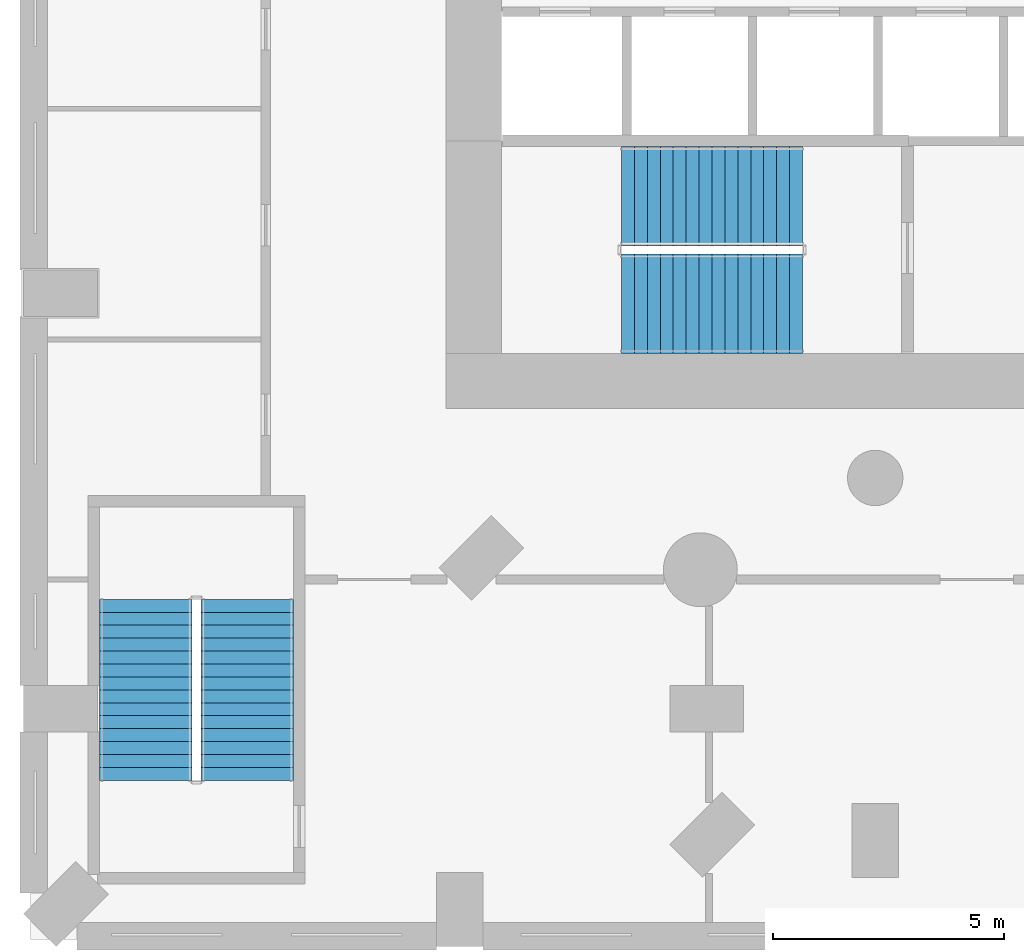
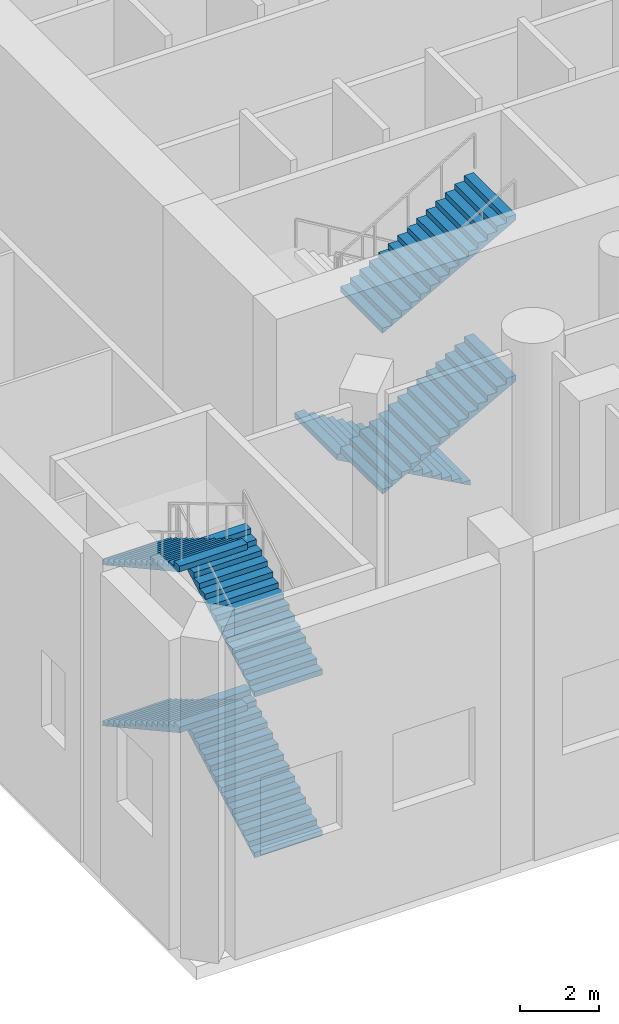
# One storey, part 9 of 16: 7 stair flights, 2 elements without a shape of their own.
"""IFC4 building model written with IfcOpenShell, lengths in metres."""

import ifcopenshell
import ifcopenshell.guid

model = None  # the IFC model being written
_history = None  # IfcOwnerHistory: only IFC2X3 demands one
_inside = {}  # id of a spatial element -> (the spatial element, [elements in it])
_under = {}  # id of a project, library or spatial element -> (it, [spatial elements below it])
_declared = {}  # id of a project -> (the project, [libraries it declares])
_typed = {}  # id of a type object -> (the type object, [elements of that type])
_made_of = {}  # id of a material, layer set ... -> (it, [elements and type objects made of it])


def new_model(schema):
    """Start an empty IFC model of exactly this schema.

    Asked for "IFC4X3", IfcOpenShell would pick the latest addendum, in which some entities
    have other attributes; the version numbers below select the first issue.
    IFC2X3 requires an IfcOwnerHistory on every rooted entity: one is made here for all.
    """
    global model, _history
    if schema == "IFC4X3":
        model = ifcopenshell.file(schema_version=(4, 3, 0, 0))
    else:
        model = ifcopenshell.file(schema=schema)
    _inside.clear()
    _under.clear()
    _declared.clear()
    _typed.clear()
    _made_of.clear()
    _history = None
    if model.schema == "IFC2X3":
        org = make("IfcOrganization", Name="unknown")
        user = make(
            "IfcPersonAndOrganization",
            ThePerson=make("IfcPerson", FamilyName="unknown"),
            TheOrganization=org,
        )
        app = make(
            "IfcApplication",
            ApplicationDeveloper=org,
            Version="unknown",
            ApplicationFullName="unknown",
            ApplicationIdentifier="unknown",
        )
        _history = make(
            "IfcOwnerHistory",
            OwningUser=user,
            OwningApplication=app,
            ChangeAction="ADDED",
            CreationDate=0,
        )
    return model


def make(cls, **values):
    """One entity of the class cls with the attributes given. An attribute that is None is left unset."""
    return model.create_entity(
        cls, **{name: value for name, value in values.items() if value is not None}
    )


def rooted(cls, **values):
    """An entity with a GlobalId (a new one), such as an element, a storey or a relation."""
    return make(cls, GlobalId=ifcopenshell.guid.new(), OwnerHistory=_history, **values)


def si_unit(unit_type, name, prefix=None):
    """IfcSIUnit, for example si_unit("LENGTHUNIT", "METRE", prefix="MILLI")."""
    return make("IfcSIUnit", UnitType=unit_type, Prefix=prefix, Name=name)


def assignment(units):
    """IfcUnitAssignment: the units of a project."""
    return None if units is None else make("IfcUnitAssignment", Units=units)


def point(xyz):
    """IfcCartesianPoint."""
    return None if xyz is None else make("IfcCartesianPoint", Coordinates=xyz)


def direction(xyz):
    """IfcDirection."""
    return None if xyz is None else make("IfcDirection", DirectionRatios=xyz)


def frame(location, z_axis=None, x_axis=None):
    """IfcAxis2Placement3D, a coordinate frame: its origin and axes. An axis left out is left unset."""
    return make(
        "IfcAxis2Placement3D",
        Location=point(location),
        Axis=direction(z_axis),
        RefDirection=direction(x_axis),
    )


def origin():
    """The frame at (0, 0, 0) with its axes left unset."""
    return frame((0.0, 0.0, 0.0))


def place(relative_to, where):
    """IfcLocalPlacement: puts the frame where relative to a parent placement (None: the world)."""
    return make(
        "IfcLocalPlacement", PlacementRelTo=relative_to, RelativePlacement=where
    )


def context(
    kind, dimensions, precision=None, world=None, true_north=None, identifier=None
):
    """IfcGeometricRepresentationContext, for example the 3D "Model" context."""
    return make(
        "IfcGeometricRepresentationContext",
        ContextIdentifier=identifier,
        ContextType=kind,
        CoordinateSpaceDimension=dimensions,
        Precision=precision,
        WorldCoordinateSystem=world,
        TrueNorth=true_north,
    )


def subcontext(parent, identifier, kind, view, scale=None):
    """IfcGeometricRepresentationSubContext, for example "Body" below "Model"."""
    return make(
        "IfcGeometricRepresentationSubContext",
        ContextIdentifier=identifier,
        ContextType=kind,
        ParentContext=parent,
        TargetScale=scale,
        TargetView=view,
    )


def project(units=None, contexts=None):
    """IfcProject with its units and contexts."""
    return rooted(
        "IfcProject",
        Name="project",
        RepresentationContexts=contexts,
        UnitsInContext=assignment(units),
    )


def spatial(cls, under=None, at=None, **own):
    """A site, building, storey or space (cls), placed at a placement, below another one or the project."""
    s = rooted(cls, ObjectPlacement=at, **own)
    if under is not None:
        _under.setdefault(under.id(), (under, []))[1].append(s)
    return s


def point_list(points):
    """IfcCartesianPointList2D or 3D."""
    cls = (
        "IfcCartesianPointList2D" if len(points[0]) == 2 else "IfcCartesianPointList3D"
    )
    return make(cls, CoordList=points)


def triangles(points, corners, closed=None, point_numbers=None):
    """IfcTriangulatedFaceSet: each triangle names its three corners, points numbered from 1."""
    return make(
        "IfcTriangulatedFaceSet",
        Coordinates=point_list(points),
        Closed=closed,
        CoordIndex=corners,
        PnIndex=point_numbers,
    )


def shape(context_of_items, identifier, shape_type, items):
    """IfcShapeRepresentation: the items that make up one representation, for example the "Body"."""
    return make(
        "IfcShapeRepresentation",
        ContextOfItems=context_of_items,
        RepresentationIdentifier=identifier,
        RepresentationType=shape_type,
        Items=items,
    )


def material(Name=None, Category=None):
    """IfcMaterial."""
    return make("IfcMaterial", Name=Name, Category=Category)


def made_of(thing, what):
    """Note that an element or type object is made of a material, layer set ...; save() writes the relation."""
    if what is not None:
        _made_of.setdefault(what.id(), (what, []))[1].append(thing)
    return thing


def type_object(cls, material=None, **own):
    """A type object (cls), such as IfcWallType, which elements share."""
    return made_of(rooted(cls, **own), material)


def element(
    cls,
    number,
    at=None,
    inside=None,
    cuts=None,
    type_object=None,
    material=None,
    context=None,
    identifier="Body",
    shape_type=None,
    held_by="IfcProductDefinitionShape",
    body=None,
    shapes=None,
    **own,
):
    """One element of the class cls, such as IfcWall. Its Tag is "e" and its number.

    at: its placement. inside: the storey or other place that contains it. cuts: it is an
    opening in that element (IfcRelVoidsElement). A single representation is given by context,
    identifier, shape_type and body (its items); several are given by shapes. held_by: the class
    of the entity that holds the representations. save() writes the other relations.
    """
    e = rooted(cls, Tag="e%d" % number, ObjectPlacement=at, **own)
    if body is not None:
        shapes = [shape(context, identifier, shape_type, body)]
    if shapes is not None:
        e.Representation = make(held_by, Representations=shapes)
    if inside is not None:
        _inside.setdefault(inside.id(), (inside, []))[1].append(e)
    if cuts is not None:
        rooted(
            "IfcRelVoidsElement", RelatingBuildingElement=cuts, RelatedOpeningElement=e
        )
    if type_object is not None:
        _typed.setdefault(type_object.id(), (type_object, []))[1].append(e)
    return made_of(e, material)


def aggregate(whole, parts):
    """IfcRelAggregates: a whole, such as a stair, and the parts it consists of."""
    return rooted("IfcRelAggregates", RelatingObject=whole, RelatedObjects=parts)


def save(model, path):
    """Write the relations noted so far, then the file.

    IfcRelAggregates (storeys below a building ...), IfcRelContainedInSpatialStructure (elements
    in a storey), IfcRelDefinesByType, IfcRelAssociatesMaterial and IfcRelDeclares: one each for
    every whole, place, type object, material and project.
    """
    for whole, parts in _under.values():
        aggregate(whole, parts)
    for where, things in _inside.values():
        rooted(
            "IfcRelContainedInSpatialStructure",
            RelatedElements=things,
            RelatingStructure=where,
        )
    for kind, things in _typed.values():
        rooted("IfcRelDefinesByType", RelatedObjects=things, RelatingType=kind)
    for what, things in _made_of.values():
        rooted("IfcRelAssociatesMaterial", RelatedObjects=things, RelatingMaterial=what)
    for by, libraries in _declared.values():
        rooted("IfcRelDeclares", RelatingContext=by, RelatedDefinitions=libraries)
    model.write(path)


model = new_model("IFC4")

# Units and contexts
model_context = context("Model", 3, precision=1e-05, world=origin(), true_north=direction((0.0, 1.0)))
body_context = subcontext(model_context, "Body", "Model", "MODEL_VIEW")
ifc_project = project(units=[si_unit("LENGTHUNIT", "METRE"), si_unit("AREAUNIT", "SQUARE_METRE"), si_unit("VOLUMEUNIT", "CUBIC_METRE"), si_unit("PLANEANGLEUNIT", "RADIAN"), si_unit("MASSUNIT", "GRAM", prefix="KILO")], contexts=[model_context])

# Site, building, storey
site_placement = place(None, origin())
site = spatial("IfcSite", under=ifc_project, at=site_placement, CompositionType="ELEMENT")
building_placement = place(site_placement, origin())
building = spatial("IfcBuilding", under=site, at=building_placement, Name="Cypress Arch Tower", CompositionType="ELEMENT")
storey_placement = place(building_placement, frame((0.0, 0.0, 9.0)))
storey = spatial("IfcBuildingStorey", under=building, at=storey_placement, Name="L01", CompositionType="ELEMENT", Elevation=9.0)

# Stair, stair flights
ifc_material_1 = material(Name="Concrete C40/50", Category="concrete")
stair_type_1 = type_object("IfcStairType", Name="Exit stair ES1667-200", PredefinedType="HALF_TURN_STAIR", material=ifc_material_1)
stair_1_placement = place(storey_placement, origin())
stair_1 = element("IfcStair", 1, at=stair_1_placement, inside=storey, type_object=stair_type_1, Name="L01 Exit stair P1", PredefinedType="HALF_TURN_STAIR")
ifc_material_2 = material(Name="Concrete C40/50", Category="concrete")
stair_flight_type_1 = type_object("IfcStairFlightType", Name="Exit stair flight ES1667-200", PredefinedType="STRAIGHT", material=ifc_material_2)
stair_flight_1_placement = place(storey_placement, frame((-34.300048828125, -24.050048828125, 0.0), z_axis=(0.0, 0.0, 1.0), x_axis=(0.0, 1.0, 0.0)))
stair_flight_1 = element("IfcStairFlight", 2, at=stair_flight_1_placement, type_object=stair_flight_type_1, Name="P1 flight 1", NumberOfRisers=15, NumberOfTreads=14, PredefinedType="STRAIGHT", RiserHeight=0.166666667, TreadLength=0.28, context=body_context, shape_type="Tessellation", body=[
    triangles([(0.0, -1.0, 0.0), (0.0, -1.0, 0.166748046875), (0.280029296875, -1.0, 0.166748046875), (0.280029296875, -1.0, 0.333251953125), (0.56005859375, -1.0, 0.333251953125), (0.56005859375, -1.0, 0.5), (0.840087890625, -1.0, 0.5), (0.840087890625, -1.0, 0.666748046875), (1.1201171875, -1.0, 0.666748046875), (1.1201171875, -1.0, 0.833251953125), (1.39990234375, -1.0, 0.833251953125), (1.39990234375, -1.0, 1.0), (1.679931640625, -1.0, 1.0), (1.679931640625, -1.0, 1.166748046875), (1.9599609375, -1.0, 1.166748046875), (1.9599609375, -1.0, 1.333251953125), (2.239990234375, -1.0, 1.333251953125), (2.239990234375, -1.0, 1.5), (2.52001953125, -1.0, 1.5), (2.52001953125, -1.0, 1.666748046875), (2.800048828125, -1.0, 1.666748046875), (2.800048828125, -1.0, 1.833251953125), (3.080078125, -1.0, 1.833251953125), (3.080078125, -1.0, 2.0), (3.360107421875, -1.0, 2.0), (3.360107421875, -1.0, 2.166748046875), (3.639892578125, -1.0, 2.166748046875), (3.639892578125, -1.0, 2.333251953125), (3.919921875, -1.0, 2.333251953125), (3.919921875, -1.0, 2.158935546875), (3.919921875, 1.0, 2.158935546875), (3.919921875, 1.0, 2.333251953125), (3.639892578125, 1.0, 2.333251953125), (3.639892578125, 1.0, 2.166748046875), (3.360107421875, 1.0, 2.166748046875), (3.360107421875, 1.0, 2.0), (3.080078125, 1.0, 2.0), (3.080078125, 1.0, 1.833251953125), (2.800048828125, 1.0, 1.833251953125), (2.800048828125, 1.0, 1.666748046875), (2.52001953125, 1.0, 1.666748046875), (2.52001953125, 1.0, 1.5), (2.239990234375, 1.0, 1.5), (2.239990234375, 1.0, 1.333251953125), (1.9599609375, 1.0, 1.333251953125), (1.9599609375, 1.0, 1.166748046875), (1.679931640625, 1.0, 1.166748046875), (1.679931640625, 1.0, 1.0), (1.39990234375, 1.0, 1.0), (1.39990234375, 1.0, 0.833251953125), (1.1201171875, 1.0, 0.833251953125), (1.1201171875, 1.0, 0.666748046875), (0.840087890625, 1.0, 0.666748046875), (0.840087890625, 1.0, 0.5), (0.56005859375, 1.0, 0.5), (0.56005859375, 1.0, 0.333251953125), (0.280029296875, 1.0, 0.333251953125), (0.280029296875, 1.0, 0.166748046875), (0.0, 1.0, 0.166748046875), (0.0, 1.0, 0.0)], [[30, 29, 28], [27, 26, 25], [25, 24, 23], [21, 20, 19], [19, 18, 17], [15, 14, 13], [13, 12, 11], [9, 8, 7], [7, 6, 5], [3, 2, 1], [11, 10, 9], [23, 22, 21], [17, 16, 15], [5, 4, 3], [30, 28, 27], [30, 27, 25], [30, 25, 23], [30, 23, 21], [30, 21, 19], [30, 19, 17], [30, 17, 15], [30, 15, 13], [30, 13, 11], [30, 11, 9], [30, 9, 7], [30, 7, 5], [1, 30, 5], [5, 3, 1], [31, 33, 32], [34, 36, 35], [36, 38, 37], [40, 42, 41], [42, 44, 43], [46, 48, 47], [48, 50, 49], [52, 54, 53], [54, 56, 55], [58, 60, 59], [50, 52, 51], [38, 40, 39], [44, 46, 45], [56, 58, 57], [31, 34, 33], [31, 36, 34], [31, 38, 36], [31, 40, 38], [31, 42, 40], [31, 44, 42], [31, 46, 44], [31, 48, 46], [31, 50, 48], [31, 52, 50], [31, 54, 52], [31, 56, 54], [60, 56, 31], [56, 60, 58], [31, 32, 29], [31, 29, 30], [32, 33, 28], [32, 28, 29], [33, 34, 27], [33, 27, 28], [34, 35, 26], [34, 26, 27], [35, 36, 25], [35, 25, 26], [36, 37, 24], [36, 24, 25], [37, 38, 23], [37, 23, 24], [38, 39, 22], [38, 22, 23], [39, 40, 21], [39, 21, 22], [40, 41, 20], [40, 20, 21], [41, 42, 19], [41, 19, 20], [42, 43, 18], [42, 18, 19], [43, 44, 17], [43, 17, 18], [44, 45, 16], [44, 16, 17], [45, 46, 15], [45, 15, 16], [46, 47, 14], [46, 14, 15], [47, 48, 13], [47, 13, 14], [48, 49, 12], [48, 12, 13], [49, 50, 11], [49, 11, 12], [50, 51, 10], [50, 10, 11], [51, 52, 9], [51, 9, 10], [52, 53, 8], [52, 8, 9], [53, 54, 7], [53, 7, 8], [54, 55, 6], [54, 6, 7], [55, 56, 5], [55, 5, 6], [56, 57, 4], [56, 4, 5], [57, 58, 3], [57, 3, 4], [58, 59, 2], [58, 2, 3], [59, 60, 1], [59, 1, 2], [60, 31, 30], [60, 30, 1]], closed=True),
])
stair_flight_2_placement = place(storey_placement, frame((-36.5, -20.1298828125, 2.5), z_axis=(0.0, 0.0, 1.0), x_axis=(0.0, -1.0, 0.0)))
stair_flight_2 = element("IfcStairFlight", 3, at=stair_flight_2_placement, type_object=stair_flight_type_1, Name="P1 flight 2", NumberOfRisers=15, NumberOfTreads=14, PredefinedType="STRAIGHT", RiserHeight=0.166666667, TreadLength=0.28, context=body_context, shape_type="Tessellation", body=[
    triangles([(0.0, -1.0, 0.0), (0.0, -1.0, 0.166748046875), (0.280029296875, -1.0, 0.166748046875), (0.280029296875, -1.0, 0.333251953125), (0.56005859375, -1.0, 0.333251953125), (0.56005859375, -1.0, 0.5), (0.840087890625, -1.0, 0.5), (0.840087890625, -1.0, 0.666748046875), (1.1201171875, -1.0, 0.666748046875), (1.1201171875, -1.0, 0.833251953125), (1.39990234375, -1.0, 0.833251953125), (1.39990234375, -1.0, 1.0), (1.679931640625, -1.0, 1.0), (1.679931640625, -1.0, 1.166748046875), (1.9599609375, -1.0, 1.166748046875), (1.9599609375, -1.0, 1.333251953125), (2.239990234375, -1.0, 1.333251953125), (2.239990234375, -1.0, 1.5), (2.52001953125, -1.0, 1.5), (2.52001953125, -1.0, 1.666748046875), (2.800048828125, -1.0, 1.666748046875), (2.800048828125, -1.0, 1.833251953125), (3.080078125, -1.0, 1.833251953125), (3.080078125, -1.0, 2.0), (3.360107421875, -1.0, 2.0), (3.360107421875, -1.0, 2.166748046875), (3.639892578125, -1.0, 2.166748046875), (3.639892578125, -1.0, 2.333251953125), (3.919921875, -1.0, 2.333251953125), (3.919921875, -1.0, 2.158935546875), (3.919921875, 1.0, 2.158935546875), (3.919921875, 1.0, 2.333251953125), (3.639892578125, 1.0, 2.333251953125), (3.639892578125, 1.0, 2.166748046875), (3.360107421875, 1.0, 2.166748046875), (3.360107421875, 1.0, 2.0), (3.080078125, 1.0, 2.0), (3.080078125, 1.0, 1.833251953125), (2.800048828125, 1.0, 1.833251953125), (2.800048828125, 1.0, 1.666748046875), (2.52001953125, 1.0, 1.666748046875), (2.52001953125, 1.0, 1.5), (2.239990234375, 1.0, 1.5), (2.239990234375, 1.0, 1.333251953125), (1.9599609375, 1.0, 1.333251953125), (1.9599609375, 1.0, 1.166748046875), (1.679931640625, 1.0, 1.166748046875), (1.679931640625, 1.0, 1.0), (1.39990234375, 1.0, 1.0), (1.39990234375, 1.0, 0.833251953125), (1.1201171875, 1.0, 0.833251953125), (1.1201171875, 1.0, 0.666748046875), (0.840087890625, 1.0, 0.666748046875), (0.840087890625, 1.0, 0.5), (0.56005859375, 1.0, 0.5), (0.56005859375, 1.0, 0.333251953125), (0.280029296875, 1.0, 0.333251953125), (0.280029296875, 1.0, 0.166748046875), (0.0, 1.0, 0.166748046875), (0.0, 1.0, 0.0)], [[30, 29, 28], [27, 26, 25], [25, 24, 23], [21, 20, 19], [19, 18, 17], [15, 14, 13], [13, 12, 11], [9, 8, 7], [7, 6, 5], [3, 2, 1], [11, 10, 9], [23, 22, 21], [17, 16, 15], [5, 4, 3], [30, 28, 27], [30, 27, 25], [30, 25, 23], [30, 23, 21], [30, 21, 19], [30, 19, 17], [30, 17, 15], [30, 15, 13], [30, 13, 11], [30, 11, 9], [30, 9, 7], [30, 7, 5], [1, 30, 5], [5, 3, 1], [31, 33, 32], [34, 36, 35], [36, 38, 37], [40, 42, 41], [42, 44, 43], [46, 48, 47], [48, 50, 49], [52, 54, 53], [54, 56, 55], [58, 60, 59], [50, 52, 51], [38, 40, 39], [44, 46, 45], [56, 58, 57], [31, 34, 33], [31, 36, 34], [31, 38, 36], [31, 40, 38], [31, 42, 40], [31, 44, 42], [31, 46, 44], [31, 48, 46], [31, 50, 48], [31, 52, 50], [31, 54, 52], [31, 56, 54], [60, 56, 31], [56, 60, 58], [31, 32, 29], [31, 29, 30], [32, 33, 28], [32, 28, 29], [33, 34, 27], [33, 27, 28], [34, 35, 26], [34, 26, 27], [35, 36, 25], [35, 25, 26], [36, 37, 24], [36, 24, 25], [37, 38, 23], [37, 23, 24], [38, 39, 22], [38, 22, 23], [39, 40, 21], [39, 21, 22], [40, 41, 20], [40, 20, 21], [41, 42, 19], [41, 19, 20], [42, 43, 18], [42, 18, 19], [43, 44, 17], [43, 17, 18], [44, 45, 16], [44, 16, 17], [45, 46, 15], [45, 15, 16], [46, 47, 14], [46, 14, 15], [47, 48, 13], [47, 13, 14], [48, 49, 12], [48, 12, 13], [49, 50, 11], [49, 11, 12], [50, 51, 10], [50, 10, 11], [51, 52, 9], [51, 9, 10], [52, 53, 8], [52, 8, 9], [53, 54, 7], [53, 7, 8], [54, 55, 6], [54, 6, 7], [55, 56, 5], [55, 5, 6], [56, 57, 4], [56, 4, 5], [57, 58, 3], [57, 3, 4], [58, 59, 2], [58, 2, 3], [59, 60, 1], [59, 1, 2], [60, 31, 30], [60, 30, 1]], closed=True),
])
stair_flight_3_placement = place(storey_placement, frame((-34.300048828125, -24.050048828125, 5.0), z_axis=(0.0, 0.0, 1.0), x_axis=(0.0, 1.0, 0.0)))
stair_flight_3 = element("IfcStairFlight", 4, at=stair_flight_3_placement, type_object=stair_flight_type_1, Name="P1 flight 3", NumberOfRisers=15, NumberOfTreads=14, PredefinedType="STRAIGHT", RiserHeight=0.166666667, TreadLength=0.28, context=body_context, shape_type="Tessellation", body=[
    triangles([(0.0, -1.0, 0.0), (0.0, -1.0, 0.166748046875), (0.280029296875, -1.0, 0.166748046875), (0.280029296875, -1.0, 0.333251953125), (0.56005859375, -1.0, 0.333251953125), (0.56005859375, -1.0, 0.5), (0.840087890625, -1.0, 0.5), (0.840087890625, -1.0, 0.666748046875), (1.1201171875, -1.0, 0.666748046875), (1.1201171875, -1.0, 0.833251953125), (1.39990234375, -1.0, 0.833251953125), (1.39990234375, -1.0, 1.0), (1.679931640625, -1.0, 1.0), (1.679931640625, -1.0, 1.166748046875), (1.9599609375, -1.0, 1.166748046875), (1.9599609375, -1.0, 1.333251953125), (2.239990234375, -1.0, 1.333251953125), (2.239990234375, -1.0, 1.5), (2.52001953125, -1.0, 1.5), (2.52001953125, -1.0, 1.666748046875), (2.800048828125, -1.0, 1.666748046875), (2.800048828125, -1.0, 1.833251953125), (3.080078125, -1.0, 1.833251953125), (3.080078125, -1.0, 2.0), (3.360107421875, -1.0, 2.0), (3.360107421875, -1.0, 2.166748046875), (3.639892578125, -1.0, 2.166748046875), (3.639892578125, -1.0, 2.333251953125), (3.919921875, -1.0, 2.333251953125), (3.919921875, -1.0, 2.158935546875), (3.919921875, 1.0, 2.158935546875), (3.919921875, 1.0, 2.333251953125), (3.639892578125, 1.0, 2.333251953125), (3.639892578125, 1.0, 2.166748046875), (3.360107421875, 1.0, 2.166748046875), (3.360107421875, 1.0, 2.0), (3.080078125, 1.0, 2.0), (3.080078125, 1.0, 1.833251953125), (2.800048828125, 1.0, 1.833251953125), (2.800048828125, 1.0, 1.666748046875), (2.52001953125, 1.0, 1.666748046875), (2.52001953125, 1.0, 1.5), (2.239990234375, 1.0, 1.5), (2.239990234375, 1.0, 1.333251953125), (1.9599609375, 1.0, 1.333251953125), (1.9599609375, 1.0, 1.166748046875), (1.679931640625, 1.0, 1.166748046875), (1.679931640625, 1.0, 1.0), (1.39990234375, 1.0, 1.0), (1.39990234375, 1.0, 0.833251953125), (1.1201171875, 1.0, 0.833251953125), (1.1201171875, 1.0, 0.666748046875), (0.840087890625, 1.0, 0.666748046875), (0.840087890625, 1.0, 0.5), (0.56005859375, 1.0, 0.5), (0.56005859375, 1.0, 0.333251953125), (0.280029296875, 1.0, 0.333251953125), (0.280029296875, 1.0, 0.166748046875), (0.0, 1.0, 0.166748046875), (0.0, 1.0, 0.0)], [[30, 29, 28], [27, 26, 25], [25, 24, 23], [21, 20, 19], [19, 18, 17], [15, 14, 13], [13, 12, 11], [9, 8, 7], [7, 6, 5], [3, 2, 1], [11, 10, 9], [23, 22, 21], [17, 16, 15], [5, 4, 3], [30, 28, 27], [30, 27, 25], [30, 25, 23], [30, 23, 21], [30, 21, 19], [30, 19, 17], [30, 17, 15], [30, 15, 13], [30, 13, 11], [30, 11, 9], [30, 9, 7], [30, 7, 5], [1, 30, 5], [5, 3, 1], [31, 33, 32], [34, 36, 35], [36, 38, 37], [40, 42, 41], [42, 44, 43], [46, 48, 47], [48, 50, 49], [52, 54, 53], [54, 56, 55], [58, 60, 59], [50, 52, 51], [38, 40, 39], [44, 46, 45], [56, 58, 57], [31, 34, 33], [31, 36, 34], [31, 38, 36], [31, 40, 38], [31, 42, 40], [31, 44, 42], [31, 46, 44], [31, 48, 46], [31, 50, 48], [31, 52, 50], [31, 54, 52], [31, 56, 54], [60, 56, 31], [56, 60, 58], [31, 32, 29], [31, 29, 30], [32, 33, 28], [32, 28, 29], [33, 34, 27], [33, 27, 28], [34, 35, 26], [34, 26, 27], [35, 36, 25], [35, 25, 26], [36, 37, 24], [36, 24, 25], [37, 38, 23], [37, 23, 24], [38, 39, 22], [38, 22, 23], [39, 40, 21], [39, 21, 22], [40, 41, 20], [40, 20, 21], [41, 42, 19], [41, 19, 20], [42, 43, 18], [42, 18, 19], [43, 44, 17], [43, 17, 18], [44, 45, 16], [44, 16, 17], [45, 46, 15], [45, 15, 16], [46, 47, 14], [46, 14, 15], [47, 48, 13], [47, 13, 14], [48, 49, 12], [48, 12, 13], [49, 50, 11], [49, 11, 12], [50, 51, 10], [50, 10, 11], [51, 52, 9], [51, 9, 10], [52, 53, 8], [52, 8, 9], [53, 54, 7], [53, 7, 8], [54, 55, 6], [54, 6, 7], [55, 56, 5], [55, 5, 6], [56, 57, 4], [56, 4, 5], [57, 58, 3], [57, 3, 4], [58, 59, 2], [58, 2, 3], [59, 60, 1], [59, 1, 2], [60, 31, 30], [60, 30, 1]], closed=True),
])
stair_flight_4_placement = place(storey_placement, frame((-36.5, -20.1298828125, 7.5), z_axis=(0.0, 0.0, 1.0), x_axis=(0.0, -1.0, 0.0)))
stair_flight_4 = element("IfcStairFlight", 5, at=stair_flight_4_placement, type_object=stair_flight_type_1, Name="P1 flight 4", NumberOfRisers=15, NumberOfTreads=14, PredefinedType="STRAIGHT", RiserHeight=0.166666667, TreadLength=0.28, context=body_context, shape_type="Tessellation", body=[
    triangles([(0.0, -1.0, 0.0), (0.0, -1.0, 0.166748046875), (0.280029296875, -1.0, 0.166748046875), (0.280029296875, -1.0, 0.333251953125), (0.56005859375, -1.0, 0.333251953125), (0.56005859375, -1.0, 0.5), (0.840087890625, -1.0, 0.5), (0.840087890625, -1.0, 0.666748046875), (1.1201171875, -1.0, 0.666748046875), (1.1201171875, -1.0, 0.833251953125), (1.39990234375, -1.0, 0.833251953125), (1.39990234375, -1.0, 1.0), (1.679931640625, -1.0, 1.0), (1.679931640625, -1.0, 1.166748046875), (1.9599609375, -1.0, 1.166748046875), (1.9599609375, -1.0, 1.333251953125), (2.239990234375, -1.0, 1.333251953125), (2.239990234375, -1.0, 1.5), (2.52001953125, -1.0, 1.5), (2.52001953125, -1.0, 1.666748046875), (2.800048828125, -1.0, 1.666748046875), (2.800048828125, -1.0, 1.833251953125), (3.080078125, -1.0, 1.833251953125), (3.080078125, -1.0, 2.0), (3.360107421875, -1.0, 2.0), (3.360107421875, -1.0, 2.166748046875), (3.639892578125, -1.0, 2.166748046875), (3.639892578125, -1.0, 2.333251953125), (3.919921875, -1.0, 2.333251953125), (3.919921875, -1.0, 2.158935546875), (3.919921875, 1.0, 2.158935546875), (3.919921875, 1.0, 2.333251953125), (3.639892578125, 1.0, 2.333251953125), (3.639892578125, 1.0, 2.166748046875), (3.360107421875, 1.0, 2.166748046875), (3.360107421875, 1.0, 2.0), (3.080078125, 1.0, 2.0), (3.080078125, 1.0, 1.833251953125), (2.800048828125, 1.0, 1.833251953125), (2.800048828125, 1.0, 1.666748046875), (2.52001953125, 1.0, 1.666748046875), (2.52001953125, 1.0, 1.5), (2.239990234375, 1.0, 1.5), (2.239990234375, 1.0, 1.333251953125), (1.9599609375, 1.0, 1.333251953125), (1.9599609375, 1.0, 1.166748046875), (1.679931640625, 1.0, 1.166748046875), (1.679931640625, 1.0, 1.0), (1.39990234375, 1.0, 1.0), (1.39990234375, 1.0, 0.833251953125), (1.1201171875, 1.0, 0.833251953125), (1.1201171875, 1.0, 0.666748046875), (0.840087890625, 1.0, 0.666748046875), (0.840087890625, 1.0, 0.5), (0.56005859375, 1.0, 0.5), (0.56005859375, 1.0, 0.333251953125), (0.280029296875, 1.0, 0.333251953125), (0.280029296875, 1.0, 0.166748046875), (0.0, 1.0, 0.166748046875), (0.0, 1.0, 0.0)], [[30, 29, 28], [27, 26, 25], [25, 24, 23], [21, 20, 19], [19, 18, 17], [15, 14, 13], [13, 12, 11], [9, 8, 7], [7, 6, 5], [3, 2, 1], [11, 10, 9], [23, 22, 21], [17, 16, 15], [5, 4, 3], [30, 28, 27], [30, 27, 25], [30, 25, 23], [30, 23, 21], [30, 21, 19], [30, 19, 17], [30, 17, 15], [30, 15, 13], [30, 13, 11], [30, 11, 9], [30, 9, 7], [30, 7, 5], [1, 30, 5], [5, 3, 1], [31, 33, 32], [34, 36, 35], [36, 38, 37], [40, 42, 41], [42, 44, 43], [46, 48, 47], [48, 50, 49], [52, 54, 53], [54, 56, 55], [58, 60, 59], [50, 52, 51], [38, 40, 39], [44, 46, 45], [56, 58, 57], [31, 34, 33], [31, 36, 34], [31, 38, 36], [31, 40, 38], [31, 42, 40], [31, 44, 42], [31, 46, 44], [31, 48, 46], [31, 50, 48], [31, 52, 50], [31, 54, 52], [31, 56, 54], [60, 56, 31], [56, 60, 58], [31, 32, 29], [31, 29, 30], [32, 33, 28], [32, 28, 29], [33, 34, 27], [33, 27, 28], [34, 35, 26], [34, 26, 27], [35, 36, 25], [35, 25, 26], [36, 37, 24], [36, 24, 25], [37, 38, 23], [37, 23, 24], [38, 39, 22], [38, 22, 23], [39, 40, 21], [39, 21, 22], [40, 41, 20], [40, 20, 21], [41, 42, 19], [41, 19, 20], [42, 43, 18], [42, 18, 19], [43, 44, 17], [43, 17, 18], [44, 45, 16], [44, 16, 17], [45, 46, 15], [45, 15, 16], [46, 47, 14], [46, 14, 15], [47, 48, 13], [47, 13, 14], [48, 49, 12], [48, 12, 13], [49, 50, 11], [49, 11, 12], [50, 51, 10], [50, 10, 11], [51, 52, 9], [51, 9, 10], [52, 53, 8], [52, 8, 9], [53, 54, 7], [53, 7, 8], [54, 55, 6], [54, 6, 7], [55, 56, 5], [55, 5, 6], [56, 57, 4], [56, 4, 5], [57, 58, 3], [57, 3, 4], [58, 59, 2], [58, 2, 3], [59, 60, 1], [59, 1, 2], [60, 31, 30], [60, 30, 1]], closed=True),
])
aggregate(stair_1, [stair_flight_1, stair_flight_2, stair_flight_3, stair_flight_4])

ifc_material_3 = material(Name="Concrete C40/50", Category="concrete")
stair_type_2 = type_object("IfcStairType", Name="Exit stair ES1667-215", PredefinedType="HALF_TURN_STAIR", material=ifc_material_3)
stair_2_placement = place(storey_placement, origin())
stair_2 = element("IfcStair", 6, at=stair_2_placement, inside=storey, type_object=stair_type_2, Name="L01 Exit stair A", PredefinedType="HALF_TURN_STAIR")
ifc_material_4 = material(Name="Concrete C40/50", Category="concrete")
stair_flight_type_2 = type_object("IfcStairFlightType", Name="Exit stair flight ES1667-215", PredefinedType="STRAIGHT", material=ifc_material_4)
stair_flight_5_placement = place(storey_placement, frame((-22.27490234375, -11.39990234375, 0.0), z_axis=(0.0, 0.0, 1.0), x_axis=(-1.0, 0.0, 0.0)))
stair_flight_5 = element("IfcStairFlight", 7, at=stair_flight_5_placement, type_object=stair_flight_type_2, Name="A flight 1", NumberOfRisers=15, NumberOfTreads=14, PredefinedType="STRAIGHT", RiserHeight=0.166666667, TreadLength=0.28, context=body_context, shape_type="Tessellation", body=[
    triangles([(0.0, -1.074951171875, 0.0), (0.00048828125, -1.074951171875, 0.0556640625), (0.00048828125, -1.074951171875, 0.111083984375), (0.0, -1.074951171875, 0.166748046875), (0.280029296875, -1.074951171875, 0.166748046875), (0.280029296875, -1.074951171875, 0.333251953125), (0.56005859375, -1.074951171875, 0.333251953125), (0.56005859375, -1.074951171875, 0.5), (0.840087890625, -1.074951171875, 0.5), (0.840087890625, -1.074951171875, 0.666748046875), (1.1201171875, -1.074951171875, 0.666748046875), (1.1201171875, -1.074951171875, 0.833251953125), (1.39990234375, -1.074951171875, 0.833251953125), (1.39990234375, -1.074951171875, 1.0), (1.679931640625, -1.074951171875, 1.0), (1.679931640625, -1.074951171875, 1.166748046875), (1.9599609375, -1.074951171875, 1.166748046875), (1.9599609375, -1.074951171875, 1.333251953125), (2.239990234375, -1.074951171875, 1.333251953125), (2.239990234375, -1.074951171875, 1.5), (2.52001953125, -1.074951171875, 1.5), (2.52001953125, -1.074951171875, 1.666748046875), (2.800048828125, -1.074951171875, 1.666748046875), (2.800048828125, -1.074951171875, 1.833251953125), (3.080078125, -1.074951171875, 1.833251953125), (3.080078125, -1.074951171875, 2.0), (3.360107421875, -1.074951171875, 2.0), (3.360107421875, -1.074951171875, 2.166748046875), (3.639892578125, -1.074951171875, 2.166748046875), (3.639892578125, -1.074951171875, 2.333251953125), (3.919921875, -1.074951171875, 2.333251953125), (3.91943359375, -1.074951171875, 2.275146484375), (3.91943359375, -1.074951171875, 2.217041015625), (3.919921875, -1.074951171875, 2.158935546875), (3.919921875, 1.074951171875, 2.158935546875), (3.91943359375, 1.074951171875, 2.217041015625), (3.91943359375, 1.074951171875, 2.275146484375), (3.919921875, 1.074951171875, 2.333251953125), (3.639892578125, 1.074951171875, 2.333251953125), (3.639892578125, 1.074951171875, 2.166748046875), (3.360107421875, 1.074951171875, 2.166748046875), (3.360107421875, 1.074951171875, 2.0), (3.080078125, 1.074951171875, 2.0), (3.080078125, 1.074951171875, 1.833251953125), (2.800048828125, 1.074951171875, 1.833251953125), (2.800048828125, 1.074951171875, 1.666748046875), (2.52001953125, 1.074951171875, 1.666748046875), (2.52001953125, 1.074951171875, 1.5), (2.239990234375, 1.074951171875, 1.5), (2.239990234375, 1.074951171875, 1.333251953125), (1.9599609375, 1.074951171875, 1.333251953125), (1.9599609375, 1.074951171875, 1.166748046875), (1.679931640625, 1.074951171875, 1.166748046875), (1.679931640625, 1.074951171875, 1.0), (1.39990234375, 1.074951171875, 1.0), (1.39990234375, 1.074951171875, 0.833251953125), (1.1201171875, 1.074951171875, 0.833251953125), (1.1201171875, 1.074951171875, 0.666748046875), (0.840087890625, 1.074951171875, 0.666748046875), (0.840087890625, 1.074951171875, 0.5), (0.56005859375, 1.074951171875, 0.5), (0.56005859375, 1.074951171875, 0.333251953125), (0.280029296875, 1.074951171875, 0.333251953125), (0.280029296875, 1.074951171875, 0.166748046875), (0.0, 1.074951171875, 0.166748046875), (0.00048828125, 1.074951171875, 0.111083984375), (0.00048828125, 1.074951171875, 0.0556640625), (0.0, 1.074951171875, 0.0)], [[34, 33, 30], [33, 32, 30], [32, 31, 30], [29, 28, 27], [27, 26, 25], [23, 22, 21], [21, 20, 19], [17, 16, 15], [15, 14, 13], [11, 10, 9], [9, 8, 7], [4, 3, 5], [3, 2, 5], [2, 1, 5], [13, 12, 11], [25, 24, 23], [19, 18, 17], [7, 6, 5], [34, 30, 29], [34, 29, 27], [34, 27, 25], [34, 25, 23], [34, 23, 21], [34, 21, 19], [34, 19, 17], [34, 17, 15], [34, 15, 13], [34, 13, 11], [34, 11, 9], [34, 9, 7], [1, 34, 7], [7, 5, 1], [35, 39, 36], [36, 39, 37], [37, 39, 38], [40, 42, 41], [42, 44, 43], [46, 48, 47], [48, 50, 49], [52, 54, 53], [54, 56, 55], [58, 60, 59], [60, 62, 61], [65, 64, 66], [66, 64, 67], [67, 64, 68], [56, 58, 57], [44, 46, 45], [50, 52, 51], [62, 64, 63], [35, 40, 39], [35, 42, 40], [35, 44, 42], [35, 46, 44], [35, 48, 46], [35, 50, 48], [35, 52, 50], [35, 54, 52], [35, 56, 54], [35, 58, 56], [35, 60, 58], [35, 62, 60], [68, 62, 35], [62, 68, 64], [35, 36, 33], [35, 33, 34], [36, 37, 32], [36, 32, 33], [37, 38, 31], [37, 31, 32], [38, 39, 30], [38, 30, 31], [39, 40, 29], [39, 29, 30], [40, 41, 28], [40, 28, 29], [41, 42, 27], [41, 27, 28], [42, 43, 26], [42, 26, 27], [43, 44, 25], [43, 25, 26], [44, 45, 24], [44, 24, 25], [45, 46, 23], [45, 23, 24], [46, 47, 22], [46, 22, 23], [47, 48, 21], [47, 21, 22], [48, 49, 20], [48, 20, 21], [49, 50, 19], [49, 19, 20], [50, 51, 18], [50, 18, 19], [51, 52, 17], [51, 17, 18], [52, 53, 16], [52, 16, 17], [53, 54, 15], [53, 15, 16], [54, 55, 14], [54, 14, 15], [55, 56, 13], [55, 13, 14], [56, 57, 12], [56, 12, 13], [57, 58, 11], [57, 11, 12], [58, 59, 10], [58, 10, 11], [59, 60, 9], [59, 9, 10], [60, 61, 8], [60, 8, 9], [61, 62, 7], [61, 7, 8], [62, 63, 6], [62, 6, 7], [63, 64, 5], [63, 5, 6], [64, 65, 4], [64, 4, 5], [65, 66, 3], [65, 3, 4], [66, 67, 2], [66, 2, 3], [67, 68, 1], [67, 1, 2], [68, 35, 34], [68, 34, 1]], closed=True),
])
stair_flight_6_placement = place(storey_placement, frame((-26.195068359375, -13.72509765625, 2.5), z_axis=(0.0, 0.0, 1.0), x_axis=(1.0, 0.0, 0.0)))
stair_flight_6 = element("IfcStairFlight", 8, at=stair_flight_6_placement, type_object=stair_flight_type_2, Name="A flight 2", NumberOfRisers=15, NumberOfTreads=14, PredefinedType="STRAIGHT", RiserHeight=0.166666667, TreadLength=0.28, context=body_context, shape_type="Tessellation", body=[
    triangles([(0.0, -1.074951171875, 0.0), (0.00048828125, -1.074951171875, 0.0556640625), (0.00048828125, -1.074951171875, 0.111083984375), (0.0, -1.074951171875, 0.166748046875), (0.280029296875, -1.074951171875, 0.166748046875), (0.280029296875, -1.074951171875, 0.333251953125), (0.56005859375, -1.074951171875, 0.333251953125), (0.56005859375, -1.074951171875, 0.5), (0.840087890625, -1.074951171875, 0.5), (0.840087890625, -1.074951171875, 0.666748046875), (1.1201171875, -1.074951171875, 0.666748046875), (1.1201171875, -1.074951171875, 0.833251953125), (1.39990234375, -1.074951171875, 0.833251953125), (1.39990234375, -1.074951171875, 1.0), (1.679931640625, -1.074951171875, 1.0), (1.679931640625, -1.074951171875, 1.166748046875), (1.9599609375, -1.074951171875, 1.166748046875), (1.9599609375, -1.074951171875, 1.333251953125), (2.239990234375, -1.074951171875, 1.333251953125), (2.239990234375, -1.074951171875, 1.5), (2.52001953125, -1.074951171875, 1.5), (2.52001953125, -1.074951171875, 1.666748046875), (2.800048828125, -1.074951171875, 1.666748046875), (2.800048828125, -1.074951171875, 1.833251953125), (3.080078125, -1.074951171875, 1.833251953125), (3.080078125, -1.074951171875, 2.0), (3.360107421875, -1.074951171875, 2.0), (3.360107421875, -1.074951171875, 2.166748046875), (3.639892578125, -1.074951171875, 2.166748046875), (3.639892578125, -1.074951171875, 2.333251953125), (3.919921875, -1.074951171875, 2.333251953125), (3.91943359375, -1.074951171875, 2.275146484375), (3.91943359375, -1.074951171875, 2.217041015625), (3.919921875, -1.074951171875, 2.158935546875), (3.919921875, 1.074951171875, 2.158935546875), (3.91943359375, 1.074951171875, 2.217041015625), (3.91943359375, 1.074951171875, 2.275146484375), (3.919921875, 1.074951171875, 2.333251953125), (3.639892578125, 1.074951171875, 2.333251953125), (3.639892578125, 1.074951171875, 2.166748046875), (3.360107421875, 1.074951171875, 2.166748046875), (3.360107421875, 1.074951171875, 2.0), (3.080078125, 1.074951171875, 2.0), (3.080078125, 1.074951171875, 1.833251953125), (2.800048828125, 1.074951171875, 1.833251953125), (2.800048828125, 1.074951171875, 1.666748046875), (2.52001953125, 1.074951171875, 1.666748046875), (2.52001953125, 1.074951171875, 1.5), (2.239990234375, 1.074951171875, 1.5), (2.239990234375, 1.074951171875, 1.333251953125), (1.9599609375, 1.074951171875, 1.333251953125), (1.9599609375, 1.074951171875, 1.166748046875), (1.679931640625, 1.074951171875, 1.166748046875), (1.679931640625, 1.074951171875, 1.0), (1.39990234375, 1.074951171875, 1.0), (1.39990234375, 1.074951171875, 0.833251953125), (1.1201171875, 1.074951171875, 0.833251953125), (1.1201171875, 1.074951171875, 0.666748046875), (0.840087890625, 1.074951171875, 0.666748046875), (0.840087890625, 1.074951171875, 0.5), (0.56005859375, 1.074951171875, 0.5), (0.56005859375, 1.074951171875, 0.333251953125), (0.280029296875, 1.074951171875, 0.333251953125), (0.280029296875, 1.074951171875, 0.166748046875), (0.0, 1.074951171875, 0.166748046875), (0.00048828125, 1.074951171875, 0.111083984375), (0.00048828125, 1.074951171875, 0.0556640625), (0.0, 1.074951171875, 0.0)], [[34, 33, 30], [33, 32, 30], [32, 31, 30], [29, 28, 27], [27, 26, 25], [23, 22, 21], [21, 20, 19], [17, 16, 15], [15, 14, 13], [11, 10, 9], [9, 8, 7], [4, 3, 5], [3, 2, 5], [2, 1, 5], [13, 12, 11], [25, 24, 23], [19, 18, 17], [7, 6, 5], [34, 30, 29], [34, 29, 27], [34, 27, 25], [34, 25, 23], [34, 23, 21], [34, 21, 19], [34, 19, 17], [34, 17, 15], [34, 15, 13], [34, 13, 11], [34, 11, 9], [34, 9, 7], [1, 34, 7], [7, 5, 1], [35, 39, 36], [36, 39, 37], [37, 39, 38], [40, 42, 41], [42, 44, 43], [46, 48, 47], [48, 50, 49], [52, 54, 53], [54, 56, 55], [58, 60, 59], [60, 62, 61], [65, 64, 66], [66, 64, 67], [67, 64, 68], [56, 58, 57], [44, 46, 45], [50, 52, 51], [62, 64, 63], [35, 40, 39], [35, 42, 40], [35, 44, 42], [35, 46, 44], [35, 48, 46], [35, 50, 48], [35, 52, 50], [35, 54, 52], [35, 56, 54], [35, 58, 56], [35, 60, 58], [35, 62, 60], [68, 62, 35], [62, 68, 64], [35, 36, 33], [35, 33, 34], [36, 37, 32], [36, 32, 33], [37, 38, 31], [37, 31, 32], [38, 39, 30], [38, 30, 31], [39, 40, 29], [39, 29, 30], [40, 41, 28], [40, 28, 29], [41, 42, 27], [41, 27, 28], [42, 43, 26], [42, 26, 27], [43, 44, 25], [43, 25, 26], [44, 45, 24], [44, 24, 25], [45, 46, 23], [45, 23, 24], [46, 47, 22], [46, 22, 23], [47, 48, 21], [47, 21, 22], [48, 49, 20], [48, 20, 21], [49, 50, 19], [49, 19, 20], [50, 51, 18], [50, 18, 19], [51, 52, 17], [51, 17, 18], [52, 53, 16], [52, 16, 17], [53, 54, 15], [53, 15, 16], [54, 55, 14], [54, 14, 15], [55, 56, 13], [55, 13, 14], [56, 57, 12], [56, 12, 13], [57, 58, 11], [57, 11, 12], [58, 59, 10], [58, 10, 11], [59, 60, 9], [59, 9, 10], [60, 61, 8], [60, 8, 9], [61, 62, 7], [61, 7, 8], [62, 63, 6], [62, 6, 7], [63, 64, 5], [63, 5, 6], [64, 65, 4], [64, 4, 5], [65, 66, 3], [65, 3, 4], [66, 67, 2], [66, 2, 3], [67, 68, 1], [67, 1, 2], [68, 35, 34], [68, 34, 1]], closed=True),
])
stair_flight_7_placement = place(storey_placement, frame((-26.195068359375, -13.72509765625, 7.5), z_axis=(0.0, 0.0, 1.0), x_axis=(1.0, 0.0, 0.0)))
stair_flight_7 = element("IfcStairFlight", 9, at=stair_flight_7_placement, type_object=stair_flight_type_2, Name="A flight 4", NumberOfRisers=15, NumberOfTreads=14, PredefinedType="STRAIGHT", RiserHeight=0.166666667, TreadLength=0.28, context=body_context, shape_type="Tessellation", body=[
    triangles([(0.0, -1.074951171875, 0.0), (0.00048828125, -1.074951171875, 0.0556640625), (0.00048828125, -1.074951171875, 0.111083984375), (0.0, -1.074951171875, 0.166748046875), (0.280029296875, -1.074951171875, 0.166748046875), (0.280029296875, -1.074951171875, 0.333251953125), (0.56005859375, -1.074951171875, 0.333251953125), (0.56005859375, -1.074951171875, 0.5), (0.840087890625, -1.074951171875, 0.5), (0.840087890625, -1.074951171875, 0.666748046875), (1.1201171875, -1.074951171875, 0.666748046875), (1.1201171875, -1.074951171875, 0.833251953125), (1.39990234375, -1.074951171875, 0.833251953125), (1.39990234375, -1.074951171875, 1.0), (1.679931640625, -1.074951171875, 1.0), (1.679931640625, -1.074951171875, 1.166748046875), (1.9599609375, -1.074951171875, 1.166748046875), (1.9599609375, -1.074951171875, 1.333251953125), (2.239990234375, -1.074951171875, 1.333251953125), (2.239990234375, -1.074951171875, 1.5), (2.52001953125, -1.074951171875, 1.5), (2.52001953125, -1.074951171875, 1.666748046875), (2.800048828125, -1.074951171875, 1.666748046875), (2.800048828125, -1.074951171875, 1.833251953125), (3.080078125, -1.074951171875, 1.833251953125), (3.080078125, -1.074951171875, 2.0), (3.360107421875, -1.074951171875, 2.0), (3.360107421875, -1.074951171875, 2.166748046875), (3.639892578125, -1.074951171875, 2.166748046875), (3.639892578125, -1.074951171875, 2.333251953125), (3.919921875, -1.074951171875, 2.333251953125), (3.91943359375, -1.074951171875, 2.275146484375), (3.91943359375, -1.074951171875, 2.217041015625), (3.919921875, -1.074951171875, 2.158935546875), (3.919921875, 1.074951171875, 2.158935546875), (3.91943359375, 1.074951171875, 2.217041015625), (3.91943359375, 1.074951171875, 2.275146484375), (3.919921875, 1.074951171875, 2.333251953125), (3.639892578125, 1.074951171875, 2.333251953125), (3.639892578125, 1.074951171875, 2.166748046875), (3.360107421875, 1.074951171875, 2.166748046875), (3.360107421875, 1.074951171875, 2.0), (3.080078125, 1.074951171875, 2.0), (3.080078125, 1.074951171875, 1.833251953125), (2.800048828125, 1.074951171875, 1.833251953125), (2.800048828125, 1.074951171875, 1.666748046875), (2.52001953125, 1.074951171875, 1.666748046875), (2.52001953125, 1.074951171875, 1.5), (2.239990234375, 1.074951171875, 1.5), (2.239990234375, 1.074951171875, 1.333251953125), (1.9599609375, 1.074951171875, 1.333251953125), (1.9599609375, 1.074951171875, 1.166748046875), (1.679931640625, 1.074951171875, 1.166748046875), (1.679931640625, 1.074951171875, 1.0), (1.39990234375, 1.074951171875, 1.0), (1.39990234375, 1.074951171875, 0.833251953125), (1.1201171875, 1.074951171875, 0.833251953125), (1.1201171875, 1.074951171875, 0.666748046875), (0.840087890625, 1.074951171875, 0.666748046875), (0.840087890625, 1.074951171875, 0.5), (0.56005859375, 1.074951171875, 0.5), (0.56005859375, 1.074951171875, 0.333251953125), (0.280029296875, 1.074951171875, 0.333251953125), (0.280029296875, 1.074951171875, 0.166748046875), (0.0, 1.074951171875, 0.166748046875), (0.00048828125, 1.074951171875, 0.111083984375), (0.00048828125, 1.074951171875, 0.0556640625), (0.0, 1.074951171875, 0.0)], [[34, 33, 30], [33, 32, 30], [32, 31, 30], [29, 28, 27], [27, 26, 25], [23, 22, 21], [21, 20, 19], [17, 16, 15], [15, 14, 13], [11, 10, 9], [9, 8, 7], [4, 3, 5], [3, 2, 5], [2, 1, 5], [13, 12, 11], [25, 24, 23], [19, 18, 17], [7, 6, 5], [34, 30, 29], [34, 29, 27], [34, 27, 25], [34, 25, 23], [34, 23, 21], [34, 21, 19], [34, 19, 17], [34, 17, 15], [34, 15, 13], [34, 13, 11], [34, 11, 9], [34, 9, 7], [1, 34, 7], [7, 5, 1], [35, 39, 36], [36, 39, 37], [37, 39, 38], [40, 42, 41], [42, 44, 43], [46, 48, 47], [48, 50, 49], [52, 54, 53], [54, 56, 55], [58, 60, 59], [60, 62, 61], [65, 64, 66], [66, 64, 67], [67, 64, 68], [56, 58, 57], [44, 46, 45], [50, 52, 51], [62, 64, 63], [35, 40, 39], [35, 42, 40], [35, 44, 42], [35, 46, 44], [35, 48, 46], [35, 50, 48], [35, 52, 50], [35, 54, 52], [35, 56, 54], [35, 58, 56], [35, 60, 58], [35, 62, 60], [68, 62, 35], [62, 68, 64], [35, 36, 33], [35, 33, 34], [36, 37, 32], [36, 32, 33], [37, 38, 31], [37, 31, 32], [38, 39, 30], [38, 30, 31], [39, 40, 29], [39, 29, 30], [40, 41, 28], [40, 28, 29], [41, 42, 27], [41, 27, 28], [42, 43, 26], [42, 26, 27], [43, 44, 25], [43, 25, 26], [44, 45, 24], [44, 24, 25], [45, 46, 23], [45, 23, 24], [46, 47, 22], [46, 22, 23], [47, 48, 21], [47, 21, 22], [48, 49, 20], [48, 20, 21], [49, 50, 19], [49, 19, 20], [50, 51, 18], [50, 18, 19], [51, 52, 17], [51, 17, 18], [52, 53, 16], [52, 16, 17], [53, 54, 15], [53, 15, 16], [54, 55, 14], [54, 14, 15], [55, 56, 13], [55, 13, 14], [56, 57, 12], [56, 12, 13], [57, 58, 11], [57, 11, 12], [58, 59, 10], [58, 10, 11], [59, 60, 9], [59, 9, 10], [60, 61, 8], [60, 8, 9], [61, 62, 7], [61, 7, 8], [62, 63, 6], [62, 6, 7], [63, 64, 5], [63, 5, 6], [64, 65, 4], [64, 4, 5], [65, 66, 3], [65, 3, 4], [66, 67, 2], [66, 2, 3], [67, 68, 1], [67, 1, 2], [68, 35, 34], [68, 34, 1]], closed=True),
])
aggregate(stair_2, [stair_flight_5, stair_flight_6, stair_flight_7])

save(model, "model.ifc")
